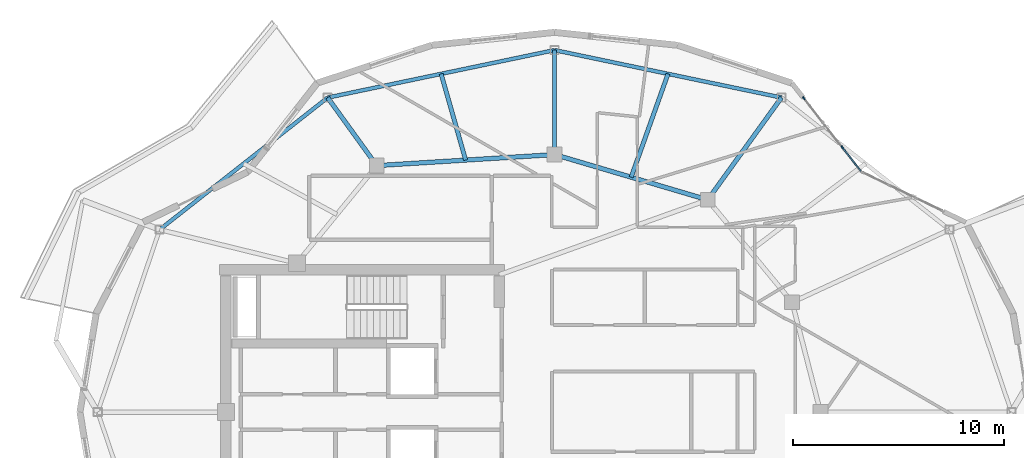
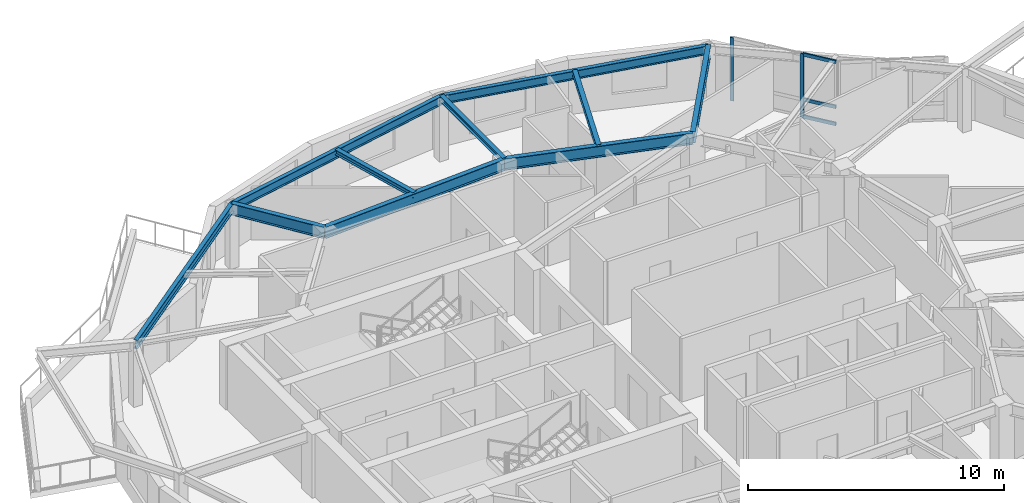
# One storey, part 4 of 14: 10 beams, 5 members, 1 element without a shape of its own.
"""IFC4 building model written with IfcOpenShell, lengths in metres."""

from ifc_helpers import new_model, si_unit, direction, frame, origin, origin_2d, place, context, subcontext, project, spatial, rectangle, i_section, extrude, material, layer, layer_set, material_profile, profile_set, type_object, element, aggregate, save


model = new_model("IFC4")

# Units and contexts
model_context = context("Model", 3, precision=1e-05, world=origin(), true_north=direction((0.0, 1.0)))
body_context = subcontext(model_context, "Body", "Model", "MODEL_VIEW")
ifc_project = project(units=[si_unit("LENGTHUNIT", "METRE"), si_unit("AREAUNIT", "SQUARE_METRE"), si_unit("VOLUMEUNIT", "CUBIC_METRE"), si_unit("PLANEANGLEUNIT", "RADIAN"), si_unit("MASSUNIT", "GRAM", prefix="KILO")], contexts=[model_context])

# Site, building, storey
site_placement = place(None, origin())
site = spatial("IfcSite", under=ifc_project, at=site_placement, CompositionType="ELEMENT")
building_placement = place(site_placement, origin())
building = spatial("IfcBuilding", under=site, at=building_placement, Name="Kolvaren Gate Tower and Convention Centre", CompositionType="ELEMENT")
storey_placement = place(building_placement, frame((0.0, 0.0, 239.300048828125)))
storey = spatial("IfcBuildingStorey", under=building, at=storey_placement, Name="L64", CompositionType="ELEMENT", Elevation=239.300048828125)

# Curtain wall, members
ifc_material_1 = material(Name="Anodized Architectural Aluminium Alloy 6063-T6", Category="aluminium")
ifc_layer = layer(ifc_material_1, 0.159912109375)
ifc_layer_set = layer_set([ifc_layer], Name="Anodized Architectural Aluminium Alloy 6063-T6")
curtain_wall_type = type_object("IfcCurtainWallType", Name="CW-RES-UNIT", PredefinedType="NOTDEFINED", material=ifc_layer_set)
curtain_wall_placement = place(storey_placement, origin())
curtain_wall = element("IfcCurtainWall", 1, at=curtain_wall_placement, inside=storey, type_object=curtain_wall_type, Name="Tower L64 Unitised Curtain Wall CW-RES-UNIT Bay 03", PredefinedType="NOTDEFINED")
ifc_material_profile_1 = material_profile(ifc_material_1, rectangle(XDim=0.06494140625, YDim=0.159912109375, at=origin_2d()), Name="CW-MEM-MUL-160")
ifc_profile_set_1 = profile_set([ifc_material_profile_1], Name="Anodized Architectural Aluminium Alloy 6063-T6")
member_type_1 = type_object("IfcMemberType", Name="CW-MEM-MUL-160", PredefinedType="MULLION", material=ifc_profile_set_1)
member_1_placement = place(storey_placement, frame((41.93505859375, 41.873046875, 0.0), z_axis=(0.0, 0.0, 1.0), x_axis=(0.787402801606, 0.616438827479, 0.0)))
member_1 = element("IfcMember", 2, at=member_1_placement, type_object=member_type_1, Name="CW-04 mullion 1", PredefinedType="MULLION", context=body_context, shape_type="SweptSolid", body=[
    extrude(rectangle(XDim=0.06494140625, YDim=0.159912109375, at=origin_2d()), origin(), (0.0, 0.0, 1.0), 3.030029296875),
])
member_2_placement = place(storey_placement, frame((43.756591796875, 39.54638671875, 0.0), z_axis=(0.0, 0.0, 1.0), x_axis=(0.787402801606, 0.616438827479, 0.0)))
member_2 = element("IfcMember", 3, at=member_2_placement, type_object=member_type_1, Name="CW-04 mullion 3", PredefinedType="MULLION", context=body_context, shape_type="SweptSolid", body=[
    extrude(rectangle(XDim=0.06494140625, YDim=0.159912109375, at=origin_2d()), origin(), (0.0, 0.0, 1.0), 3.030029296875),
])
ifc_material_profile_2 = material_profile(ifc_material_1, rectangle(XDim=0.06494140625, YDim=0.159912109375, at=origin_2d()), Name="CW-MEM-TRN-160")
ifc_profile_set_2 = profile_set([ifc_material_profile_2], Name="Anodized Architectural Aluminium Alloy 6063-T6")
member_type_2 = type_object("IfcMemberType", Name="CW-MEM-TRN-160", PredefinedType="USERDEFINED", material=ifc_profile_set_2)
member_3_placement = place(storey_placement, frame((43.776611328125, 39.520751953125, 0.032470703125), z_axis=(0.616407273095, -0.787427503758, 0.0), x_axis=(0.787427503758, 0.616407273095, 0.0)))
member_3 = element("IfcMember", 4, at=member_3_placement, type_object=member_type_2, Name="CW-04 transom 3.1", ObjectType="TRANSOM", PredefinedType="USERDEFINED", context=body_context, shape_type="SweptSolid", body=[
    extrude(rectangle(XDim=0.06494140625, YDim=0.159912109375, at=origin_2d()), origin(), (0.0, 0.0, 1.0), 1.396240234375),
])
member_4_placement = place(storey_placement, frame((43.776611328125, 39.520751953125, 0.849853515625), z_axis=(0.616407273095, -0.787427503758, 0.0), x_axis=(0.787427503758, 0.616407273095, 0.0)))
member_4 = element("IfcMember", 5, at=member_4_placement, type_object=member_type_2, Name="CW-04 transom 3.2", ObjectType="TRANSOM", PredefinedType="USERDEFINED", context=body_context, shape_type="SweptSolid", body=[
    extrude(rectangle(XDim=0.06494140625, YDim=0.159912109375, at=origin_2d()), origin(), (0.0, 0.0, 1.0), 1.396240234375),
])
member_5_placement = place(storey_placement, frame((43.776611328125, 39.520751953125, 2.99755859375), z_axis=(0.616407273095, -0.787427503758, 0.0), x_axis=(0.787427503758, 0.616407273095, 0.0)))
member_5 = element("IfcMember", 6, at=member_5_placement, type_object=member_type_2, Name="CW-04 transom 3.3", ObjectType="TRANSOM", PredefinedType="USERDEFINED", context=body_context, shape_type="SweptSolid", body=[
    extrude(rectangle(XDim=0.06494140625, YDim=0.159912109375, at=origin_2d()), origin(), (0.0, 0.0, 1.0), 1.396240234375),
])
aggregate(curtain_wall, [member_1, member_2, member_3, member_4, member_5])

# Beams
ifc_material_2 = material(Name="Structural steel ASTM A992 Grade 345 MPa", Category="steel")
ifc_material_profile_3 = material_profile(ifc_material_2, i_section(OverallWidth=0.2119140625, OverallDepth=0.5439453125, WebThickness=0.01318359375, FlangeThickness=0.021240234375, at=origin_2d()), Name="W530X123")
ifc_profile_set_3 = profile_set([ifc_material_profile_3], Name="Structural steel ASTM A992 Grade 345 MPa")
beam_type_1 = type_object("IfcBeamType", Name="STR-BM-W530X123", PredefinedType="BEAM", material=ifc_profile_set_3)
beam_1_placement = place(storey_placement, frame((37.381591796875, 37.054931640625, 2.758056640625), z_axis=(-0.958980837827, 0.283470902706, 0.0), x_axis=(-0.283470902706, -0.958980837827, 0.0)))
element("IfcBeam", 7, at=beam_1_placement, inside=storey, type_object=beam_type_1, Name="Tower L64 Primary Ring Girder G-03", PredefinedType="BEAM", context=body_context, shape_type="SweptSolid", body=[
    extrude(i_section(OverallWidth=0.2119140625, OverallDepth=0.5439453125, WebThickness=0.01318359375, FlangeThickness=0.021240234375, at=origin_2d()), origin(), (0.0, 0.0, 1.0), 7.56689453125),
])
beam_2_placement = place(storey_placement, frame((30.125, 39.199951171875, 2.758056640625), z_axis=(-0.998078258568, -0.06196603726, 0.0), x_axis=(0.06196603726, -0.998078258568, 0.0)))
element("IfcBeam", 8, at=beam_2_placement, inside=storey, type_object=beam_type_1, Name="Tower L64 Primary Ring Girder G-04", PredefinedType="BEAM", context=body_context, shape_type="SweptSolid", body=[
    extrude(i_section(OverallWidth=0.2119140625, OverallDepth=0.5439453125, WebThickness=0.01318359375, FlangeThickness=0.021240234375, at=origin_2d()), origin(), (0.0, 0.0, 1.0), 8.443115234375),
])
beam_3_placement = place(storey_placement, frame((37.381591796875, 37.054931640625, 2.758056640625), z_axis=(0.585212989833, 0.810879619013, 0.0), x_axis=(-0.810879619013, 0.585212989833, 0.0)))
element("IfcBeam", 9, at=beam_3_placement, inside=storey, type_object=beam_type_1, Name="Tower L64 Radial Floor Girder RB-03", PredefinedType="BEAM", context=body_context, shape_type="SweptSolid", body=[
    extrude(i_section(OverallWidth=0.2119140625, OverallDepth=0.5439453125, WebThickness=0.01318359375, FlangeThickness=0.021240234375, at=origin_2d()), origin(), (0.0, 0.0, 1.0), 5.97412109375),
])
beam_4_placement = place(storey_placement, frame((21.697998046875, 38.6767578125, 2.758056640625), z_axis=(-0.585223600457, 0.810871961205, 0.0), x_axis=(-0.810871961205, -0.585223600457, 0.0)))
element("IfcBeam", 10, at=beam_4_placement, inside=storey, type_object=beam_type_1, Name="Tower L64 Radial Floor Girder RB-05", PredefinedType="BEAM", context=body_context, shape_type="SweptSolid", body=[
    extrude(i_section(OverallWidth=0.2119140625, OverallDepth=0.5439453125, WebThickness=0.01318359375, FlangeThickness=0.021240234375, at=origin_2d()), origin(), (0.0, 0.0, 1.0), 3.97412109375),
])
ifc_material_profile_4 = material_profile(ifc_material_2, i_section(OverallWidth=0.202880859375, OverallDepth=0.251953125, WebThickness=0.008056640625, FlangeThickness=0.013427734375, at=origin_2d()), Name="W250X58")
ifc_profile_set_4 = profile_set([ifc_material_profile_4], Name="Structural steel ASTM A992 Grade 345 MPa")
beam_type_2 = type_object("IfcBeamType", Name="STR-JS-W250X58", PredefinedType="JOIST", material=ifc_profile_set_4)
beam_5_placement = place(storey_placement, frame((30.125, 39.199951171875, 2.904052734375), z_axis=(0.0, 1.0, 0.0), x_axis=(-1.0, 0.0, 0.0)))
element("IfcBeam", 11, at=beam_5_placement, inside=storey, type_object=beam_type_2, Name="Tower L64 Radial Floor Girder RB-04", PredefinedType="JOIST", context=body_context, shape_type="SweptSolid", body=[
    extrude(i_section(OverallWidth=0.202880859375, OverallDepth=0.251953125, WebThickness=0.008056640625, FlangeThickness=0.013427734375, at=origin_2d()), origin(), (0.0, 0.0, 1.0), 4.949951171875),
])
beam_6_placement = place(storey_placement, frame((33.75341796875, 38.12744140625, 2.904052734375), z_axis=(0.336131158814, 0.941815185731, 0.0), x_axis=(-0.941815185731, 0.336131158814, 0.0)))
element("IfcBeam", 12, at=beam_6_placement, inside=storey, type_object=beam_type_2, Name="Tower L64 Secondary Composite Floor Joist J-03.1", PredefinedType="JOIST", context=body_context, shape_type="SweptSolid", body=[
    extrude(i_section(OverallWidth=0.202880859375, OverallDepth=0.251953125, WebThickness=0.008056640625, FlangeThickness=0.013427734375, at=origin_2d()), origin(), (0.0, 0.0, 1.0), 5.19970703125),
])
beam_7_placement = place(storey_placement, frame((25.91162109375, 38.938232421875, 2.904052734375), z_axis=(-0.273696395326, 0.961816137932, 0.0), x_axis=(-0.961816137932, -0.273696395326, 0.0)))
element("IfcBeam", 13, at=beam_7_placement, inside=storey, type_object=beam_type_2, Name="Tower L64 Secondary Composite Floor Joist J-04.1", PredefinedType="JOIST", context=body_context, shape_type="SweptSolid", body=[
    extrude(i_section(OverallWidth=0.202880859375, OverallDepth=0.251953125, WebThickness=0.008056640625, FlangeThickness=0.013427734375, at=origin_2d()), origin(), (0.0, 0.0, 1.0), 4.24853515625),
])
ifc_material_profile_5 = material_profile(ifc_material_2, i_section(OverallWidth=0.180908203125, OverallDepth=0.4169921875, WebThickness=0.010986328125, FlangeThickness=0.018310546875, at=origin_2d()), Name="W410X85")
ifc_profile_set_5 = profile_set([ifc_material_profile_5], Name="Structural steel ASTM A992 Grade 345 MPa")
beam_type_3 = type_object("IfcBeamType", Name="STR-SP-W410X85", PredefinedType="SPANDREL", material=ifc_profile_set_5)
for number, where, z_axis, x_axis, name in (
    (14, (40.877685546875, 41.899169921875, 2.821533203125), (-0.97878751616, 0.204878008117, 0.0), (-0.204878008117, -0.97878751616, 0.0), "Tower L64 Perimeter Spandrel Beam SP-03"),
    (15, (30.125, 44.14990234375, 2.821533203125), (-0.97878751616, -0.204878008117, 0.0), (0.204878008117, -0.97878751616, 0.0), "Tower L64 Perimeter Spandrel Beam SP-04"),
):
    element("IfcBeam", number, at=place(storey_placement, frame(where, z_axis=z_axis, x_axis=x_axis)), inside=storey, type_object=beam_type_3, Name=name, PredefinedType="SPANDREL", context=body_context, shape_type="SweptSolid", body=[
        extrude(i_section(OverallWidth=0.180908203125, OverallDepth=0.4169921875, WebThickness=0.010986328125, FlangeThickness=0.018310546875, at=origin_2d()), origin(), (0.0, 0.0, 1.0), 10.98583984375),
    ])
beam_8_placement = place(storey_placement, frame((19.372314453125, 41.899169921875, 2.821533203125), z_axis=(-0.786299093723, -0.61784604491, 0.0), x_axis=(0.61784604491, -0.786299093723, 0.0)))
element("IfcBeam", 16, at=beam_8_placement, inside=storey, type_object=beam_type_3, Name="Tower L64 Perimeter Spandrel Beam SP-05", PredefinedType="SPANDREL", context=body_context, shape_type="SweptSolid", body=[
    extrude(i_section(OverallWidth=0.180908203125, OverallDepth=0.4169921875, WebThickness=0.010986328125, FlangeThickness=0.018310546875, at=origin_2d()), origin(), (0.0, 0.0, 1.0), 10.124755859375),
])

save(model, "model.ifc")
